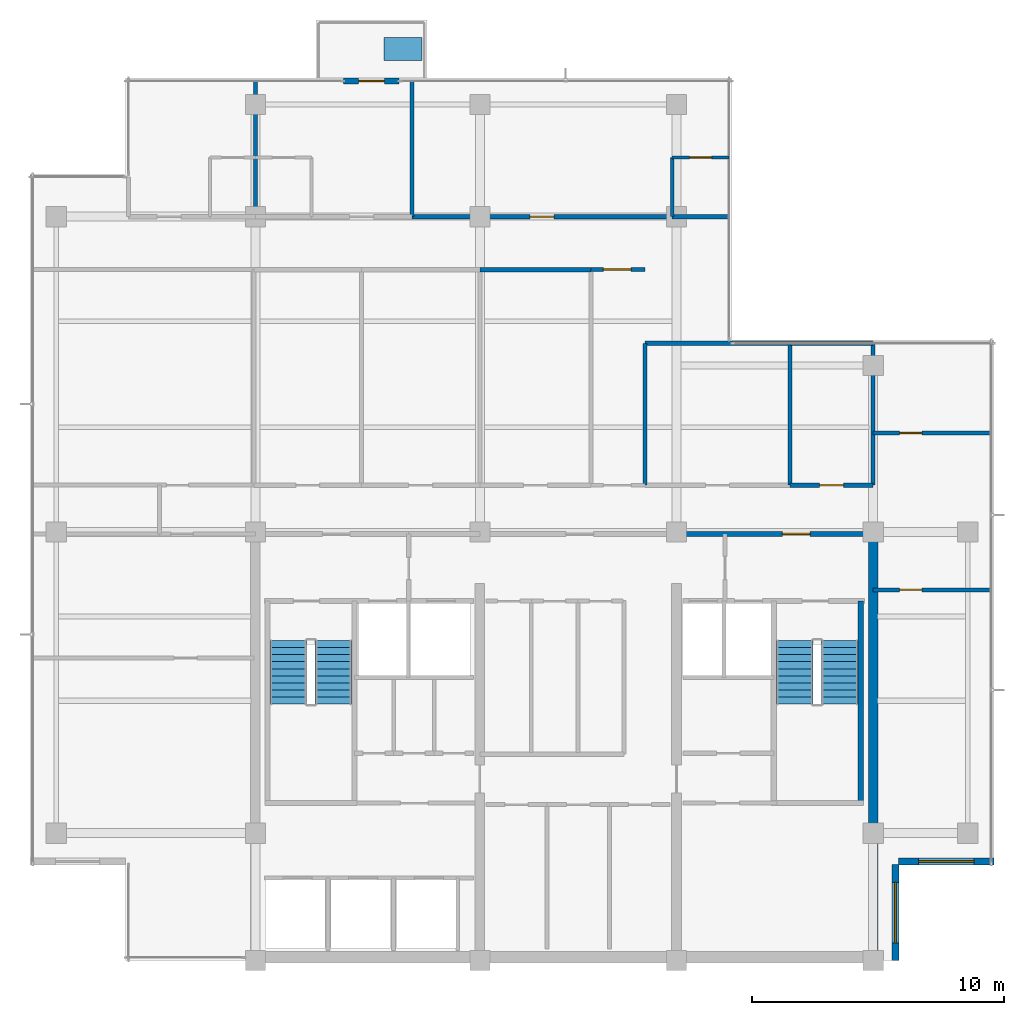
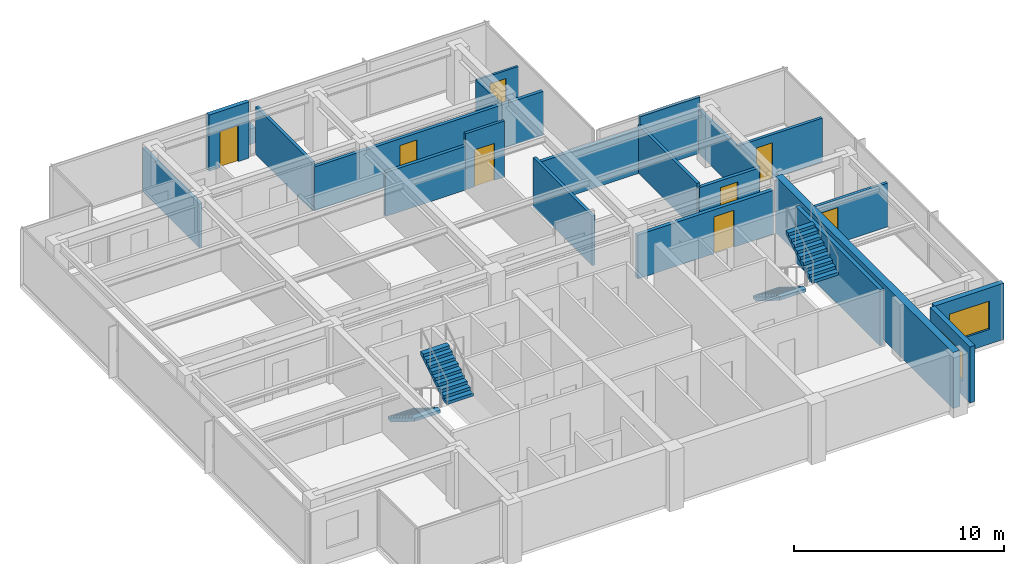
# One storey, part 8 of 11: 22 walls, 8 doors, 4 stair flights, 2 windows, 1 discrete accessory, 10 openings, 2 elements without a shape of their own.
"""IFC4 building model written with IfcOpenShell, lengths in metres."""

from ifc_helpers import new_model, si_unit, direction, frame, frame_2d, origin, place, context, subcontext, project, spatial, polyline, rectangle, outline, extrude, material, layer, layer_set, type_object, element, fill, aggregate, save


model = new_model("IFC4")

# Units and contexts
model_context = context("Model", 3, precision=1e-05, world=origin(), true_north=direction((0.0, 1.0)))
body_context = subcontext(model_context, "Body", "Model", "MODEL_VIEW")
ifc_project = project(units=[si_unit("LENGTHUNIT", "METRE"), si_unit("AREAUNIT", "SQUARE_METRE"), si_unit("VOLUMEUNIT", "CUBIC_METRE"), si_unit("PLANEANGLEUNIT", "RADIAN"), si_unit("MASSUNIT", "GRAM", prefix="KILO")], contexts=[model_context])

# Site, building, storey
site_placement = place(None, origin())
site = spatial("IfcSite", under=ifc_project, at=site_placement, CompositionType="ELEMENT")
building_placement = place(site_placement, origin())
building = spatial("IfcBuilding", under=site, at=building_placement, Name="Qalmaran Belvedere Hotel", CompositionType="ELEMENT")
storey_placement = place(building_placement, frame((0.0, 0.0, 256.39990234375)))
storey = spatial("IfcBuildingStorey", under=building, at=storey_placement, Name="L66", CompositionType="ELEMENT", Elevation=256.39990234375)

# Wall, opening, door
ifc_material_1 = material(Name="Anodised Bronze Cladding")
ifc_layer_1 = layer(ifc_material_1, 0.22509765625, Name="Anodised Bronze Cladding")
ifc_layer_set_1 = layer_set([ifc_layer_1], Name="Anodised Bronze Cladding")
wall_type_1 = type_object("IfcWallType", Name="WL-BAL-PORT-225", PredefinedType="SOLIDWALL", material=ifc_layer_set_1)
wall_1_placement = place(storey_placement, frame((23.800048828125, 38.3798828125, 0.0), z_axis=(0.0, 0.0, 1.0), x_axis=(1.0, 0.0, 0.0)))
wall_1 = element("IfcWall", 1, at=wall_1_placement, inside=storey, type_object=wall_type_1, Name="L66 Tree Balcony Door Portal", PredefinedType="SOLIDWALL", context=body_context, shape_type="SweptSolid", body=[
    extrude(rectangle(XDim=2.199951171875, YDim=0.22509765625, at=frame_2d((1.10009765625, 0.0))), origin(), (0.0, 0.0, 1.0), 3.260009765625),
])
opening_1_placement = place(wall_1_placement, frame((0.590087890625, 0.0, 0.0)))
opening_1 = element("IfcOpeningElement", 2, at=opening_1_placement, cuts=wall_1, Name="Opening BL-102", PredefinedType="OPENING", context=body_context, shape_type="SweptSolid", body=[
    extrude(rectangle(XDim=1.02001953125, YDim=2.10009765625, at=frame_2d((0.510009765625, 1.050048828125))), frame((0.0, 0.12255859375, 0.0), z_axis=(0.0, -1.0, 0.0), x_axis=(1.0, 0.0, 0.0)), (0.0, 0.0, 1.0), 0.2451171875),
])
ifc_material_2 = material(Name="Anodised Bronze Aluminium", Category="aluminium")
door_type_1 = type_object("IfcDoorType", Name="DR-BAL-1020X2100", OperationType="NOTDEFINED", PredefinedType="DOOR", material=ifc_material_2)
door_1_placement = place(opening_1_placement, origin())
door_1 = element("IfcDoor", 3, at=door_1_placement, inside=storey, type_object=door_type_1, Name="L66 Planted Tree Balcony Door", OperationType="SINGLE_SWING_LEFT", OverallHeight=2.10009765625, OverallWidth=1.02001953125, PredefinedType="DOOR", context=body_context, shape_type="SweptSolid", body=[
    extrude(rectangle(XDim=1.02001953125, YDim=2.10009765625, at=frame_2d((0.510009765625, 1.050048828125))), frame((0.0, 0.02490234375, 0.0), z_axis=(0.0, -1.0, 0.0), x_axis=(1.0, 0.0, 0.0)), (0.0, 0.0, 1.0), 0.050048828125),
])
fill(opening_1, door_1)

# Wall
ifc_material_3 = material(Name="Concrete C50/60", Category="concrete")
ifc_layer_2 = layer(ifc_material_3, 0.3798828125, Name="Concrete C50/60")
ifc_layer_set_2 = layer_set([ifc_layer_2], Name="Concrete C50/60")
wall_type_2 = type_object("IfcWallType", Name="WL-CORE-380-C50", PredefinedType="SHEAR", material=ifc_layer_set_2)
wall_2_placement = place(storey_placement, frame((44.800048828125, 3.5, 0.0), z_axis=(0.0, 0.0, 1.0), x_axis=(0.0, 1.0, 0.0)))
element("IfcWall", 4, at=wall_2_placement, inside=storey, type_object=wall_type_2, Name="L66 East Core Shear Wall", PredefinedType="SHEAR", context=body_context, shape_type="SweptSolid", body=[
    extrude(rectangle(XDim=16.89990234375, YDim=0.3798828125, at=frame_2d((8.449951171875, 0.0))), origin(), (0.0, 0.0, 1.0), 3.260009765625),
])

# Wall, opening, window
ifc_layer_3 = layer(ifc_material_1, 0.280029296875, Name="Anodised Bronze Cladding")
ifc_layer_set_3 = layer_set([ifc_layer_3], Name="Anodised Bronze Cladding")
wall_type_3 = type_object("IfcWallType", Name="WL-EXT-BRNZ-280", PredefinedType="SOLIDWALL", material=ifc_layer_set_3)
wall_3_placement = place(storey_placement, frame((45.679931640625, 3.5, 0.0), z_axis=(0.0, 0.0, 1.0), x_axis=(0.0, 1.0, 0.0)))
wall_3 = element("IfcWall", 5, at=wall_3_placement, inside=storey, type_object=wall_type_3, Name="L66 Corner Notch Wall 1", PredefinedType="SOLIDWALL", context=body_context, shape_type="SweptSolid", body=[
    extrude(rectangle(XDim=3.800048828125, YDim=0.280029296875, at=frame_2d((1.89990234375, 0.0))), origin(), (0.0, 0.0, 1.0), 3.260009765625),
])
opening_2_placement = place(wall_3_placement, frame((0.699951171875, 0.0, 0.85009765625)))
opening_2 = element("IfcOpeningElement", 6, at=opening_2_placement, cuts=wall_3, Name="Opening W-N24", PredefinedType="OPENING", context=body_context, shape_type="SweptSolid", body=[
    extrude(rectangle(XDim=2.39990234375, YDim=1.64990234375, at=frame_2d((1.199951171875, 0.824951171875))), frame((0.0, 0.14990234375, 0.0), z_axis=(0.0, -1.0, 0.0), x_axis=(1.0, 0.0, 0.0)), (0.0, 0.0, 1.0), 0.300048828125),
])
ifc_material_4 = material(Name="Solar-Control Double Glazing", Category="glass")
window_type_1 = type_object("IfcWindowType", Name="WN-NTC-2400X1650", PartitioningType="SINGLE_PANEL", PredefinedType="WINDOW", material=ifc_material_4)
window_1_placement = place(opening_2_placement, origin())
window_1 = element("IfcWindow", 7, at=window_1_placement, inside=storey, type_object=window_type_1, Name="L66 Corner Notch Window 1", OverallHeight=1.64990234375, OverallWidth=2.39990234375, PartitioningType="SINGLE_PANEL", PredefinedType="WINDOW", context=body_context, shape_type="SweptSolid", body=[
    extrude(rectangle(XDim=2.39990234375, YDim=1.64990234375, at=frame_2d((1.199951171875, 0.824951171875))), frame((0.0, 0.030029296875, 0.0), z_axis=(0.0, -1.0, 0.0), x_axis=(1.0, 0.0, 0.0)), (0.0, 0.0, 1.0), 0.06005859375),
])
fill(opening_2, window_1)

wall_4_placement = place(storey_placement, frame((45.800048828125, 7.419921875, 0.0), z_axis=(0.0, 0.0, 1.0), x_axis=(1.0, 0.0, 0.0)))
wall_4 = element("IfcWall", 8, at=wall_4_placement, inside=storey, type_object=wall_type_3, Name="L66 Corner Notch Wall 2", PredefinedType="SOLIDWALL", context=body_context, shape_type="SweptSolid", body=[
    extrude(rectangle(XDim=3.800048828125, YDim=0.280029296875, at=frame_2d((1.89990234375, 0.0))), origin(), (0.0, 0.0, 1.0), 3.260009765625),
])
opening_3_placement = place(wall_4_placement, frame((0.800048828125, 0.0, 0.85009765625)))
opening_3 = element("IfcOpeningElement", 9, at=opening_3_placement, cuts=wall_4, Name="Opening W-N22", PredefinedType="OPENING", context=body_context, shape_type="SweptSolid", body=[
    extrude(rectangle(XDim=2.199951171875, YDim=1.64990234375, at=frame_2d((1.10009765625, 0.824951171875))), frame((0.0, 0.14990234375, 0.0), z_axis=(0.0, -1.0, 0.0), x_axis=(1.0, 0.0, 0.0)), (0.0, 0.0, 1.0), 0.300048828125),
])
window_type_2 = type_object("IfcWindowType", Name="WN-NTC-2200X1650", PartitioningType="SINGLE_PANEL", PredefinedType="WINDOW", material=ifc_material_4)
window_2_placement = place(opening_3_placement, origin())
window_2 = element("IfcWindow", 10, at=window_2_placement, inside=storey, type_object=window_type_2, Name="L66 Corner Notch Window 2", OverallHeight=1.64990234375, OverallWidth=2.199951171875, PartitioningType="SINGLE_PANEL", PredefinedType="WINDOW", context=body_context, shape_type="SweptSolid", body=[
    extrude(rectangle(XDim=2.199951171875, YDim=1.64990234375, at=frame_2d((1.10009765625, 0.824951171875))), frame((0.0, 0.030029296875, 0.0), z_axis=(0.0, -1.0, 0.0), x_axis=(1.0, 0.0, 0.0)), (0.0, 0.0, 1.0), 0.06005859375),
])
fill(opening_3, window_2)

# Wall, opening, door
ifc_material_5 = material(Name="Moisture-Resistant Gypsum")
ifc_layer_4 = layer(ifc_material_5, 0.1201171875, Name="Moisture-Resistant Gypsum")
ifc_layer_set_4 = layer_set([ifc_layer_4], Name="Moisture-Resistant Gypsum")
wall_type_4 = type_object("IfcWallType", Name="WL-INT-120-BATH", PredefinedType="PARTITIONING", material=ifc_layer_set_4)
wall_5_placement = place(storey_placement, frame((36.830078125, 35.35009765625, 0.0), z_axis=(0.0, 0.0, 1.0), x_axis=(1.0, 0.0, 0.0)))
wall_5 = element("IfcWall", 11, at=wall_5_placement, inside=storey, type_object=wall_type_4, Name="L66 Partition WL-L66-NBN02", PredefinedType="PARTITIONING", context=body_context, shape_type="SweptSolid", body=[
    extrude(rectangle(XDim=2.25, YDim=0.1201171875, at=frame_2d((1.125, 0.0))), origin(), (0.0, 0.0, 1.0), 2.550048828125),
])
opening_4_placement = place(wall_5_placement, frame((1.56494140625, 0.0, 0.0), z_axis=(0.0, 0.0, 1.0), x_axis=(-1.0, 0.0, 0.0)))
opening_4 = element("IfcOpeningElement", 12, at=opening_4_placement, cuts=wall_5, Name="Opening D-BATH", PredefinedType="OPENING", context=body_context, shape_type="SweptSolid", body=[
    extrude(rectangle(XDim=0.8798828125, YDim=2.080078125, at=frame_2d((0.43994140625, 1.0400390625))), frame((0.0, 0.070068359375, 0.0), z_axis=(0.0, -1.0, 0.0), x_axis=(1.0, 0.0, 0.0)), (0.0, 0.0, 1.0), 0.14013671875),
])
ifc_material_6 = material(Name="Engineered Oak Veneer")
door_type_2 = type_object("IfcDoorType", Name="DR-INT-BATH-880X2080", OperationType="NOTDEFINED", PredefinedType="DOOR", material=ifc_material_6)
door_2_placement = place(opening_4_placement, origin())
door_2 = element("IfcDoor", 13, at=door_2_placement, inside=storey, type_object=door_type_2, Name="L66 Ensuite Bathroom Door N03", OperationType="SINGLE_SWING_LEFT", OverallHeight=2.080078125, OverallWidth=0.8798828125, PredefinedType="DOOR", context=body_context, shape_type="SweptSolid", body=[
    extrude(rectangle(XDim=0.8798828125, YDim=2.080078125, at=frame_2d((0.43994140625, 1.0400390625))), frame((0.0, 0.02490234375, 0.0), z_axis=(0.0, -1.0, 0.0), x_axis=(1.0, 0.0, 0.0)), (0.0, 0.0, 1.0), 0.050048828125),
])
fill(opening_4, door_2)

# Wall
wall_6_placement = place(storey_placement, frame((36.830078125, 33.0, 0.0), z_axis=(0.0, 0.0, 1.0), x_axis=(0.0, 1.0, 0.0)))
element("IfcWall", 14, at=wall_6_placement, inside=storey, type_object=wall_type_4, Name="L66 Partition WL-L66-NBS02", PredefinedType="PARTITIONING", context=body_context, shape_type="SweptSolid", body=[
    extrude(rectangle(XDim=2.35009765625, YDim=0.1201171875, at=frame_2d((1.175048828125, 0.0))), origin(), (0.0, 0.0, 1.0), 2.550048828125),
])

# Wall, opening, door
ifc_material_7 = material(Name="Gypsum Stud Partition")
ifc_layer_5 = layer(ifc_material_7, 0.14990234375, Name="Gypsum Stud Partition")
ifc_layer_set_5 = layer_set([ifc_layer_5], Name="Gypsum Stud Partition")
wall_type_5 = type_object("IfcWallType", Name="WL-INT-150-EI60", PredefinedType="PARTITIONING", material=ifc_layer_set_5)
wall_7_placement = place(storey_placement, frame((33.60009765625, 30.89990234375, 0.0), z_axis=(0.0, 0.0, 1.0), x_axis=(1.0, 0.0, 0.0)))
wall_7 = element("IfcWall", 15, at=wall_7_placement, inside=storey, type_object=wall_type_5, Name="L66 Partition WL-L66-XCLN", PredefinedType="PARTITIONING", context=body_context, shape_type="SweptSolid", body=[
    extrude(rectangle(XDim=2.14990234375, YDim=0.14990234375, at=frame_2d((1.074951171875, 0.0))), origin(), (0.0, 0.0, 1.0), 3.260009765625),
])
opening_5_placement = place(wall_7_placement, frame((0.5, 0.0, 0.0)))
opening_5 = element("IfcOpeningElement", 16, at=opening_5_placement, cuts=wall_7, Name="Opening FD90", PredefinedType="OPENING", context=body_context, shape_type="SweptSolid", body=[
    extrude(rectangle(XDim=1.10009765625, YDim=2.14990234375, at=frame_2d((0.550048828125, 1.074951171875))), frame((0.0, 0.0849609375, 0.0), z_axis=(0.0, -1.0, 0.0), x_axis=(1.0, 0.0, 0.0)), (0.0, 0.0, 1.0), 0.169921875),
])
ifc_material_8 = material(Name="Steel S355JR", Category="steel")
door_type_3 = type_object("IfcDoorType", Name="DR-FD90-1100X2150", OperationType="NOTDEFINED", PredefinedType="DOOR", material=ifc_material_8)
door_3_placement = place(opening_5_placement, origin())
door_3 = element("IfcDoor", 17, at=door_3_placement, inside=storey, type_object=door_type_3, Name="L66 Sky Link North Door", OperationType="SINGLE_SWING_RIGHT", OverallHeight=2.14990234375, OverallWidth=1.10009765625, PredefinedType="DOOR", context=body_context, shape_type="SweptSolid", body=[
    extrude(rectangle(XDim=1.10009765625, YDim=2.14990234375, at=frame_2d((0.550048828125, 1.074951171875))), frame((0.0, 0.02490234375, 0.0), z_axis=(0.0, -1.0, 0.0), x_axis=(1.0, 0.0, 0.0)), (0.0, 0.0, 1.0), 0.050048828125),
])
fill(opening_5, door_3)

ifc_layer_6 = layer(ifc_material_7, 0.159912109375, Name="Gypsum Stud Partition")
ifc_layer_set_6 = layer_set([ifc_layer_6], Name="Gypsum Stud Partition")
wall_type_6 = type_object("IfcWallType", Name="WL-INT-160-EI60", PredefinedType="PARTITIONING", material=ifc_layer_set_6)
wall_8_placement = place(storey_placement, frame((44.800048828125, 18.199951171875, 0.0), z_axis=(0.0, 0.0, 1.0), x_axis=(1.0, 0.0, 0.0)))
wall_8 = element("IfcWall", 18, at=wall_8_placement, inside=storey, type_object=wall_type_6, Name="L66 Partition WL-L66-C4EES", PredefinedType="PARTITIONING", context=body_context, shape_type="SweptSolid", body=[
    extrude(rectangle(XDim=4.679931640625, YDim=0.159912109375, at=frame_2d((2.33984375, 0.0))), origin(), (0.0, 0.0, 1.0), 2.550048828125),
])
opening_6_placement = place(wall_8_placement, frame((1.929931640625, 0.0, 0.0), z_axis=(0.0, 0.0, 1.0), x_axis=(-1.0, 0.0, 0.0)))
opening_6 = element("IfcOpeningElement", 19, at=opening_6_placement, cuts=wall_8, Name="Opening FD60B", PredefinedType="OPENING", context=body_context, shape_type="SweptSolid", body=[
    extrude(rectangle(XDim=0.8798828125, YDim=2.080078125, at=frame_2d((0.43994140625, 1.0400390625))), frame((0.0, 0.08984375, 0.0), z_axis=(0.0, -1.0, 0.0), x_axis=(1.0, 0.0, 0.0)), (0.0, 0.0, 1.0), 0.179931640625),
])
door_type_4 = type_object("IfcDoorType", Name="DR-FD60B-880X2080", OperationType="NOTDEFINED", PredefinedType="DOOR", material=ifc_material_8)
door_4_placement = place(opening_6_placement, origin())
door_4 = element("IfcDoor", 20, at=door_4_placement, inside=storey, type_object=door_type_4, Name="L66 East Reading Door", OperationType="SINGLE_SWING_RIGHT", OverallHeight=2.080078125, OverallWidth=0.8798828125, PredefinedType="DOOR", context=body_context, shape_type="SweptSolid", body=[
    extrude(rectangle(XDim=0.8798828125, YDim=2.080078125, at=frame_2d((0.43994140625, 1.0400390625))), frame((0.0, 0.02490234375, 0.0), z_axis=(0.0, -1.0, 0.0), x_axis=(1.0, 0.0, 0.0)), (0.0, 0.0, 1.0), 0.050048828125),
])
fill(opening_6, door_4)

wall_9_placement = place(storey_placement, frame((44.800048828125, 24.419921875, 0.0), z_axis=(0.0, 0.0, 1.0), x_axis=(1.0, 0.0, 0.0)))
wall_9 = element("IfcWall", 21, at=wall_9_placement, inside=storey, type_object=wall_type_6, Name="L66 Partition WL-L66-C4EEN", PredefinedType="PARTITIONING", context=body_context, shape_type="SweptSolid", body=[
    extrude(rectangle(XDim=4.679931640625, YDim=0.159912109375, at=frame_2d((2.33984375, 0.0))), origin(), (0.0, 0.0, 1.0), 2.550048828125),
])
opening_7_placement = place(wall_9_placement, frame((1.050048828125, 0.0, 0.0)))
opening_7 = element("IfcOpeningElement", 22, at=opening_7_placement, cuts=wall_9, Name="Opening FD60B", PredefinedType="OPENING", context=body_context, shape_type="SweptSolid", body=[
    extrude(rectangle(XDim=0.8798828125, YDim=2.080078125, at=frame_2d((0.43994140625, 1.0400390625))), frame((0.0, 0.08984375, 0.0), z_axis=(0.0, -1.0, 0.0), x_axis=(1.0, 0.0, 0.0)), (0.0, 0.0, 1.0), 0.179931640625),
])
door_5_placement = place(opening_7_placement, origin())
door_5 = element("IfcDoor", 23, at=door_5_placement, inside=storey, type_object=door_type_4, Name="L66 East Study Door", OperationType="SINGLE_SWING_LEFT", OverallHeight=2.080078125, OverallWidth=0.8798828125, PredefinedType="DOOR", context=body_context, shape_type="SweptSolid", body=[
    extrude(rectangle(XDim=0.8798828125, YDim=2.080078125, at=frame_2d((0.43994140625, 1.0400390625))), frame((0.0, 0.02490234375, 0.0), z_axis=(0.0, -1.0, 0.0), x_axis=(1.0, 0.0, 0.0)), (0.0, 0.0, 1.0), 0.050048828125),
])
fill(opening_7, door_5)

# Walls
wall_10_placement = place(storey_placement, frame((35.75, 22.35009765625, 0.0), z_axis=(0.0, 0.0, 1.0), x_axis=(0.0, 1.0, 0.0)))
element("IfcWall", 24, at=wall_10_placement, inside=storey, type_object=wall_type_6, Name="L66 Partition WL-L66-C4MEVL", PredefinedType="PARTITIONING", context=body_context, shape_type="SweptSolid", body=[
    extrude(rectangle(XDim=5.6298828125, YDim=0.159912109375, at=frame_2d((2.81494140625, 0.0))), origin(), (0.0, 0.0, 1.0), 2.88720703125),
])
wall_11_placement = place(storey_placement, frame((41.5, 22.35009765625, 0.0), z_axis=(0.0, 0.0, 1.0), x_axis=(0.0, 1.0, 0.0)))
element("IfcWall", 25, at=wall_11_placement, inside=storey, type_object=wall_type_6, Name="L66 Partition WL-L66-C4MEVR1", PredefinedType="PARTITIONING", context=body_context, shape_type="SweptSolid", body=[
    extrude(rectangle(XDim=5.6298828125, YDim=0.159912109375, at=frame_2d((2.81494140625, 0.0))), origin(), (0.0, 0.0, 1.0), 2.781982421875),
])
wall_12_placement = place(storey_placement, frame((44.800048828125, 22.35009765625, 0.0), z_axis=(0.0, 0.0, 1.0), x_axis=(0.0, 1.0, 0.0)))
element("IfcWall", 26, at=wall_12_placement, inside=storey, type_object=wall_type_6, Name="L66 Partition WL-L66-C4MEVR2", PredefinedType="PARTITIONING", context=body_context, shape_type="SweptSolid", body=[
    extrude(rectangle(XDim=5.6298828125, YDim=0.159912109375, at=frame_2d((2.81494140625, 0.0))), origin(), (0.0, 0.0, 1.0), 2.550048828125),
])
wall_13_placement = place(storey_placement, frame((20.300048828125, 33.0, 0.0), z_axis=(0.0, 0.0, 1.0), x_axis=(0.0, 1.0, 0.0)))
element("IfcWall", 27, at=wall_13_placement, inside=storey, type_object=wall_type_6, Name="L66 Partition WL-L66-NUR00", PredefinedType="PARTITIONING", context=body_context, shape_type="SweptSolid", body=[
    extrude(rectangle(XDim=5.3798828125, YDim=0.159912109375, at=frame_2d((2.68994140625, 0.0))), origin(), (0.0, 0.0, 1.0), 2.550048828125),
])
wall_14_placement = place(storey_placement, frame((26.5, 33.0, 0.0), z_axis=(0.0, 0.0, 1.0), x_axis=(0.0, 1.0, 0.0)))
element("IfcWall", 28, at=wall_14_placement, inside=storey, type_object=wall_type_6, Name="L66 Partition WL-L66-NUR01", PredefinedType="PARTITIONING", context=body_context, shape_type="SweptSolid", body=[
    extrude(rectangle(XDim=5.3798828125, YDim=0.159912109375, at=frame_2d((2.68994140625, 0.0))), origin(), (0.0, 0.0, 1.0), 2.781982421875),
])
ifc_layer_7 = layer(ifc_material_7, 0.179931640625, Name="Gypsum Stud Partition")
ifc_layer_set_7 = layer_set([ifc_layer_7], Name="Gypsum Stud Partition")
wall_type_7 = type_object("IfcWallType", Name="WL-INT-180-EI60", PredefinedType="PARTITIONING", material=ifc_layer_set_7)
wall_15_placement = place(storey_placement, frame((29.199951171875, 30.89990234375, 0.0), z_axis=(0.0, 0.0, 1.0), x_axis=(1.0, 0.0, 0.0)))
element("IfcWall", 29, at=wall_15_placement, inside=storey, type_object=wall_type_7, Name="L66 Partition WL-L66-C4MWO3", PredefinedType="PARTITIONING", context=body_context, shape_type="SweptSolid", body=[
    extrude(rectangle(XDim=4.400146484375, YDim=0.179931640625, at=frame_2d((2.2001953125, 0.0))), origin(), (0.0, 0.0, 1.0), 2.550048828125),
])
wall_16_placement = place(storey_placement, frame((35.75, 27.97998046875, 0.0), z_axis=(0.0, 0.0, 1.0), x_axis=(1.0, 0.0, 0.0)))
element("IfcWall", 30, at=wall_16_placement, inside=storey, type_object=wall_type_7, Name="L66 Partition WL-L66-C4MEO1", PredefinedType="PARTITIONING", context=body_context, shape_type="SweptSolid", body=[
    extrude(rectangle(XDim=5.75, YDim=0.179931640625, at=frame_2d((2.875, 0.0))), origin(), (0.0, 0.0, 1.0), 2.550048828125),
])

# Wall, opening, door
wall_17_placement = place(storey_placement, frame((41.5, 22.35009765625, 0.0), z_axis=(0.0, 0.0, 1.0), x_axis=(1.0, 0.0, 0.0)))
wall_17 = element("IfcWall", 31, at=wall_17_placement, inside=storey, type_object=wall_type_7, Name="L66 Partition WL-L66-C4MED2", PredefinedType="PARTITIONING", context=body_context, shape_type="SweptSolid", body=[
    extrude(rectangle(XDim=3.300048828125, YDim=0.179931640625, at=frame_2d((1.64990234375, 0.0))), origin(), (0.0, 0.0, 1.0), 2.550048828125),
])
opening_8_placement = place(wall_17_placement, frame((1.175048828125, 0.0, 0.0)))
opening_8 = element("IfcOpeningElement", 32, at=opening_8_placement, cuts=wall_17, Name="Opening FD60", PredefinedType="OPENING", context=body_context, shape_type="SweptSolid", body=[
    extrude(rectangle(XDim=0.949951171875, YDim=2.14990234375, at=frame_2d((0.47509765625, 1.074951171875))), frame((0.0, 0.10009765625, 0.0), z_axis=(0.0, -1.0, 0.0), x_axis=(1.0, 0.0, 0.0)), (0.0, 0.0, 1.0), 0.199951171875),
])
door_type_5 = type_object("IfcDoorType", Name="DR-FD60-950X2150", OperationType="NOTDEFINED", PredefinedType="DOOR", material=ifc_material_6)
door_6_placement = place(opening_8_placement, origin())
door_6 = element("IfcDoor", 33, at=door_6_placement, inside=storey, type_object=door_type_5, Name="L66 Sommelier Pantry Door", OperationType="SINGLE_SWING_RIGHT", OverallHeight=2.14990234375, OverallWidth=0.949951171875, PredefinedType="DOOR", context=body_context, shape_type="SweptSolid", body=[
    extrude(rectangle(XDim=0.949951171875, YDim=2.14990234375, at=frame_2d((0.47509765625, 1.074951171875))), frame((0.0, 0.02490234375, 0.0), z_axis=(0.0, -1.0, 0.0), x_axis=(1.0, 0.0, 0.0)), (0.0, 0.0, 1.0), 0.050048828125),
])
fill(opening_8, door_6)

# Walls
wall_18_placement = place(storey_placement, frame((41.5, 27.97998046875, 0.0), z_axis=(0.0, 0.0, 1.0), x_axis=(1.0, 0.0, 0.0)))
element("IfcWall", 34, at=wall_18_placement, inside=storey, type_object=wall_type_7, Name="L66 Partition WL-L66-C4MEO2", PredefinedType="PARTITIONING", context=body_context, shape_type="SweptSolid", body=[
    extrude(rectangle(XDim=3.300048828125, YDim=0.179931640625, at=frame_2d((1.64990234375, 0.0))), origin(), (0.0, 0.0, 1.0), 3.260009765625),
])
wall_19_placement = place(storey_placement, frame((36.830078125, 33.0, 0.0), z_axis=(0.0, 0.0, 1.0), x_axis=(1.0, 0.0, 0.0)))
element("IfcWall", 35, at=wall_19_placement, inside=storey, type_object=wall_type_7, Name="L66 Partition WL-L66-NBC02", PredefinedType="PARTITIONING", context=body_context, shape_type="SweptSolid", body=[
    extrude(rectangle(XDim=2.25, YDim=0.179931640625, at=frame_2d((1.125, 0.0))), origin(), (0.0, 0.0, 1.0), 2.550048828125),
])

# Wall, opening, door
wall_20_placement = place(storey_placement, frame((26.5, 33.0, 0.0), z_axis=(0.0, 0.0, 1.0), x_axis=(1.0, 0.0, 0.0)))
wall_20 = element("IfcWall", 36, at=wall_20_placement, inside=storey, type_object=wall_type_7, Name="L66 Partition WL-L66-NEC02", PredefinedType="PARTITIONING", context=body_context, shape_type="SweptSolid", body=[
    extrude(rectangle(XDim=10.330078125, YDim=0.179931640625, at=frame_2d((5.1650390625, 0.0))), origin(), (0.0, 0.0, 1.0), 2.550048828125),
])
opening_9_placement = place(wall_20_placement, frame((4.68994140625, 0.0, 0.0)))
opening_9 = element("IfcOpeningElement", 37, at=opening_9_placement, cuts=wall_20, Name="Opening FD60", PredefinedType="OPENING", context=body_context, shape_type="SweptSolid", body=[
    extrude(rectangle(XDim=0.949951171875, YDim=2.14990234375, at=frame_2d((0.47509765625, 1.074951171875))), frame((0.0, 0.10009765625, 0.0), z_axis=(0.0, -1.0, 0.0), x_axis=(1.0, 0.0, 0.0)), (0.0, 0.0, 1.0), 0.199951171875),
])
door_7_placement = place(opening_9_placement, origin())
door_7 = element("IfcDoor", 38, at=door_7_placement, inside=storey, type_object=door_type_5, Name="L66 Guest Entrance Door N03", OperationType="SINGLE_SWING_RIGHT", OverallHeight=2.14990234375, OverallWidth=0.949951171875, PredefinedType="DOOR", context=body_context, shape_type="SweptSolid", body=[
    extrude(rectangle(XDim=0.949951171875, YDim=2.14990234375, at=frame_2d((0.47509765625, 1.074951171875))), frame((0.0, 0.02490234375, 0.0), z_axis=(0.0, -1.0, 0.0), x_axis=(1.0, 0.0, 0.0)), (0.0, 0.0, 1.0), 0.050048828125),
])
fill(opening_9, door_7)

ifc_material_9 = material(Name="Concrete C30/37 Blockwork", Category="masonry")
ifc_layer_8 = layer(ifc_material_9, 0.199951171875, Name="Concrete C30/37 Blockwork")
ifc_layer_set_8 = layer_set([ifc_layer_8], Name="Concrete C30/37 Blockwork")
wall_type_8 = type_object("IfcWallType", Name="WL-INT-200-EI120", PredefinedType="PARTITIONING", material=ifc_layer_set_8)
wall_21_placement = place(storey_placement, frame((37.0, 20.419921875, 0.0), z_axis=(0.0, 0.0, 1.0), x_axis=(1.0, 0.0, 0.0)))
wall_21 = element("IfcWall", 39, at=wall_21_placement, inside=storey, type_object=wall_type_8, Name="L66 Partition WL-CN3-L66", PredefinedType="PARTITIONING", context=body_context, shape_type="SweptSolid", body=[
    extrude(rectangle(XDim=7.449951171875, YDim=0.199951171875, at=frame_2d((3.72509765625, 0.0))), origin(), (0.0, 0.0, 1.0), 2.550048828125),
])
opening_10_placement = place(wall_21_placement, frame((4.199951171875, 0.0, 0.0)))
opening_10 = element("IfcOpeningElement", 40, at=opening_10_placement, cuts=wall_21, Name="Opening FD90", PredefinedType="OPENING", context=body_context, shape_type="SweptSolid", body=[
    extrude(rectangle(XDim=1.10009765625, YDim=2.14990234375, at=frame_2d((0.550048828125, 1.074951171875))), frame((0.0, 0.10986328125, 0.0), z_axis=(0.0, -1.0, 0.0), x_axis=(1.0, 0.0, 0.0)), (0.0, 0.0, 1.0), 0.219970703125),
])
door_8_placement = place(opening_10_placement, origin())
door_8 = element("IfcDoor", 41, at=door_8_placement, inside=storey, type_object=door_type_3, Name="L66 FF2 Lobby Corridor Door", OperationType="SINGLE_SWING_RIGHT", OverallHeight=2.14990234375, OverallWidth=1.10009765625, PredefinedType="DOOR", context=body_context, shape_type="SweptSolid", body=[
    extrude(rectangle(XDim=1.10009765625, YDim=2.14990234375, at=frame_2d((0.550048828125, 1.074951171875))), frame((0.0, 0.02490234375, 0.0), z_axis=(0.0, -1.0, 0.0), x_axis=(1.0, 0.0, 0.0)), (0.0, 0.0, 1.0), 0.050048828125),
])
fill(opening_10, door_8)

# Wall
ifc_layer_9 = layer(ifc_material_3, 0.2099609375, Name="Concrete C50/60")
ifc_layer_set_9 = layer_set([ifc_layer_9], Name="Concrete C50/60")
wall_type_9 = type_object("IfcWallType", Name="WL-STAIR-210-C50", PredefinedType="SHEAR", material=ifc_layer_set_9)
wall_22_placement = place(storey_placement, frame((44.304931640625, 9.7451171875, 0.0), z_axis=(0.0, 0.0, 1.0), x_axis=(0.0, 1.0, 0.0)))
element("IfcWall", 42, at=wall_22_placement, inside=storey, type_object=wall_type_9, Name="L66 Stair ST-2 East Bearing Wall", PredefinedType="SHEAR", context=body_context, shape_type="SweptSolid", body=[
    extrude(rectangle(XDim=8.009765625, YDim=0.2099609375, at=frame_2d((4.0048828125, 0.0))), origin(), (0.0, 0.0, 1.0), 3.260009765625),
])

# Stair, stair flights
ifc_material_10 = material(Name="Concrete C40/50", Category="concrete")
stair_type_1 = type_object("IfcStairType", Name="STR-ST-1-1450-R1750", PredefinedType="HALF_TURN_STAIR", material=ifc_material_10)
stair_1_placement = place(storey_placement, origin())
stair_1 = element("IfcStair", 43, at=stair_1_placement, inside=storey, type_object=stair_type_1, Name="L66 West Core Exit Stair ST-1", PredefinedType="HALF_TURN_STAIR")
ifc_layer_10 = layer(ifc_material_10, 0.14990234375, Name="Concrete C40/50")
ifc_layer_set_10 = layer_set([ifc_layer_10], Name="Concrete C40/50")
stair_flight_type_1 = type_object("IfcStairFlightType", Name="STF-ST-1-1450-R1750", PredefinedType="STRAIGHT", material=ifc_layer_set_10)
stair_flight_1_placement = place(storey_placement, frame((21.60498046875, 16.18994140625, 0.0), z_axis=(0.0, 0.0, 1.0), x_axis=(0.0, -1.0, 0.0)))
stair_flight_1 = element("IfcStairFlight", 44, at=stair_flight_1_placement, type_object=stair_flight_type_1, Name="ST-1 flight 1", NumberOfRisers=10, NumberOfTreads=9, PredefinedType="STRAIGHT", RiserHeight=0.175, TreadLength=0.28, context=body_context, shape_type="SweptSolid", body=[
    extrude(outline(polyline([(0.0, 0.0), (0.0, 0.175048828125), (0.280029296875, 0.175048828125), (0.280029296875, 0.35009765625), (0.56005859375, 0.35009765625), (0.56005859375, 0.52490234375), (0.840087890625, 0.52490234375), (0.840087890625, 0.699951171875), (1.1201171875, 0.699951171875), (1.1201171875, 0.875), (1.39990234375, 0.875), (1.39990234375, 1.050048828125), (1.679931640625, 1.050048828125), (1.679931640625, 1.22509765625), (1.9599609375, 1.22509765625), (1.9599609375, 1.39990234375), (2.239990234375, 1.39990234375), (2.239990234375, 1.574951171875), (2.52001953125, 1.574951171875), (2.52001953125, 1.75), (2.52001953125, 1.398193359375), (0.28271484375, 0.0), (0.0, 0.0)])), frame((0.0, 0.72509765625, 0.0), z_axis=(0.0, -1.0, 0.0), x_axis=(1.0, 0.0, 0.0)), (0.0, 0.0, 1.0), 1.449951171875),
])
stair_flight_2_placement = place(storey_placement, frame((23.39501953125, 13.669921875, 1.75), z_axis=(0.0, 0.0, 1.0), x_axis=(0.0, 1.0, 0.0)))
stair_flight_2 = element("IfcStairFlight", 45, at=stair_flight_2_placement, type_object=stair_flight_type_1, Name="ST-1 flight 2", NumberOfRisers=10, NumberOfTreads=9, PredefinedType="STRAIGHT", RiserHeight=0.175, TreadLength=0.28, context=body_context, shape_type="SweptSolid", body=[
    extrude(outline(polyline([(0.0, 0.0), (0.0, 0.175048828125), (0.280029296875, 0.175048828125), (0.280029296875, 0.35009765625), (0.56005859375, 0.35009765625), (0.56005859375, 0.52490234375), (0.840087890625, 0.52490234375), (0.840087890625, 0.699951171875), (1.1201171875, 0.699951171875), (1.1201171875, 0.875), (1.39990234375, 0.875), (1.39990234375, 1.050048828125), (1.679931640625, 1.050048828125), (1.679931640625, 1.22509765625), (1.9599609375, 1.22509765625), (1.9599609375, 1.39990234375), (2.239990234375, 1.39990234375), (2.239990234375, 1.574951171875), (2.52001953125, 1.574951171875), (2.52001953125, 1.75), (2.52001953125, 1.398193359375), (0.28271484375, 0.0), (0.0, 0.0)])), frame((0.0, 0.72509765625, 0.0), z_axis=(0.0, -1.0, 0.0), x_axis=(1.0, 0.0, 0.0)), (0.0, 0.0, 1.0), 1.449951171875),
])
aggregate(stair_1, [stair_flight_1, stair_flight_2])

stair_type_2 = type_object("IfcStairType", Name="STR-ST-2-1450-R1750", PredefinedType="HALF_TURN_STAIR", material=ifc_material_10)
stair_2_placement = place(storey_placement, origin())
stair_2 = element("IfcStair", 46, at=stair_2_placement, inside=storey, type_object=stair_type_2, Name="L66 East Core Exit Stair ST-2", PredefinedType="HALF_TURN_STAIR")
ifc_layer_11 = layer(ifc_material_10, 0.14990234375, Name="Concrete C40/50")
ifc_layer_set_11 = layer_set([ifc_layer_11], Name="Concrete C40/50")
stair_flight_type_2 = type_object("IfcStairFlightType", Name="STF-ST-2-1450-R1750", PredefinedType="STRAIGHT", material=ifc_layer_set_11)
stair_flight_3_placement = place(storey_placement, frame((41.68505859375, 16.18994140625, 0.0), z_axis=(0.0, 0.0, 1.0), x_axis=(0.0, -1.0, 0.0)))
stair_flight_3 = element("IfcStairFlight", 47, at=stair_flight_3_placement, type_object=stair_flight_type_2, Name="ST-2 flight 1", NumberOfRisers=10, NumberOfTreads=9, PredefinedType="STRAIGHT", RiserHeight=0.175, TreadLength=0.28, context=body_context, shape_type="SweptSolid", body=[
    extrude(outline(polyline([(0.0, 0.0), (0.0, 0.175048828125), (0.280029296875, 0.175048828125), (0.280029296875, 0.35009765625), (0.56005859375, 0.35009765625), (0.56005859375, 0.52490234375), (0.840087890625, 0.52490234375), (0.840087890625, 0.699951171875), (1.1201171875, 0.699951171875), (1.1201171875, 0.875), (1.39990234375, 0.875), (1.39990234375, 1.050048828125), (1.679931640625, 1.050048828125), (1.679931640625, 1.22509765625), (1.9599609375, 1.22509765625), (1.9599609375, 1.39990234375), (2.239990234375, 1.39990234375), (2.239990234375, 1.574951171875), (2.52001953125, 1.574951171875), (2.52001953125, 1.75), (2.52001953125, 1.398193359375), (0.28271484375, 0.0), (0.0, 0.0)])), frame((0.0, 0.72509765625, 0.0), z_axis=(0.0, -1.0, 0.0), x_axis=(1.0, 0.0, 0.0)), (0.0, 0.0, 1.0), 1.449951171875),
])
stair_flight_4_placement = place(storey_placement, frame((43.47509765625, 13.669921875, 1.75), z_axis=(0.0, 0.0, 1.0), x_axis=(0.0, 1.0, 0.0)))
stair_flight_4 = element("IfcStairFlight", 48, at=stair_flight_4_placement, type_object=stair_flight_type_2, Name="ST-2 flight 2", NumberOfRisers=10, NumberOfTreads=9, PredefinedType="STRAIGHT", RiserHeight=0.175, TreadLength=0.28, context=body_context, shape_type="SweptSolid", body=[
    extrude(outline(polyline([(0.0, 0.0), (0.0, 0.175048828125), (0.280029296875, 0.175048828125), (0.280029296875, 0.35009765625), (0.56005859375, 0.35009765625), (0.56005859375, 0.52490234375), (0.840087890625, 0.52490234375), (0.840087890625, 0.699951171875), (1.1201171875, 0.699951171875), (1.1201171875, 0.875), (1.39990234375, 0.875), (1.39990234375, 1.050048828125), (1.679931640625, 1.050048828125), (1.679931640625, 1.22509765625), (1.9599609375, 1.22509765625), (1.9599609375, 1.39990234375), (2.239990234375, 1.39990234375), (2.239990234375, 1.574951171875), (2.52001953125, 1.574951171875), (2.52001953125, 1.75), (2.52001953125, 1.398193359375), (0.28271484375, 0.0), (0.0, 0.0)])), frame((0.0, 0.72509765625, 0.0), z_axis=(0.0, -1.0, 0.0), x_axis=(1.0, 0.0, 0.0)), (0.0, 0.0, 1.0), 1.449951171875),
])
aggregate(stair_2, [stair_flight_3, stair_flight_4])

# Discrete accessory
discrete_accessory_type = type_object("IfcDiscreteAccessoryType", Name="PLN-BAL-1500", PredefinedType="USERDEFINED", material=ifc_material_10)
discrete_accessory_placement = place(storey_placement, origin())
element("IfcDiscreteAccessory", 49, at=discrete_accessory_placement, inside=storey, type_object=discrete_accessory_type, Name="L66 Sky Tree Planter", ObjectType="PLANTER", PredefinedType="USERDEFINED", context=body_context, shape_type="SweptSolid", body=[
    extrude(outline(polyline([(25.39990234375, 39.199951171875), (26.89990234375, 39.199951171875), (26.89990234375, 40.10009765625), (25.39990234375, 40.10009765625), (25.39990234375, 39.199951171875)])), origin(), (0.0, 0.0, 1.0), 0.900146484375),
])

save(model, "model.ifc")
